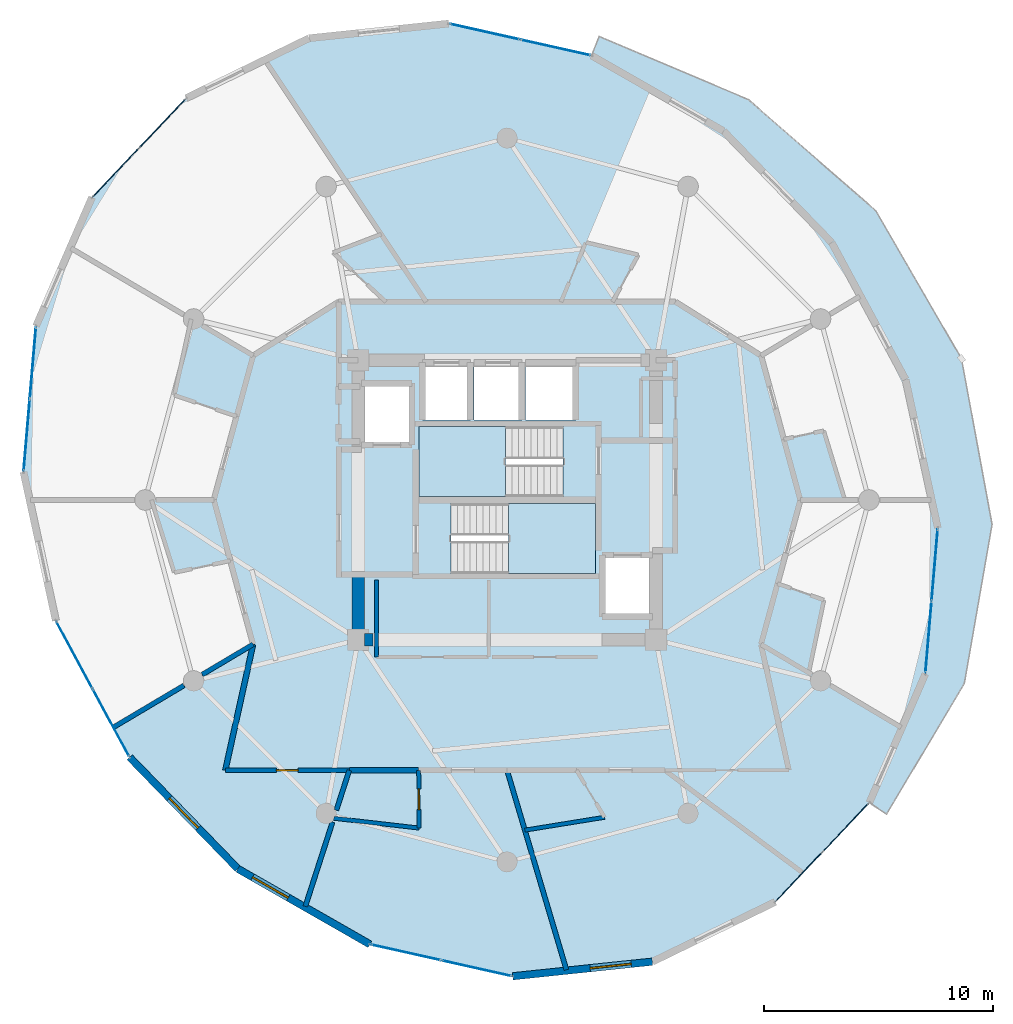
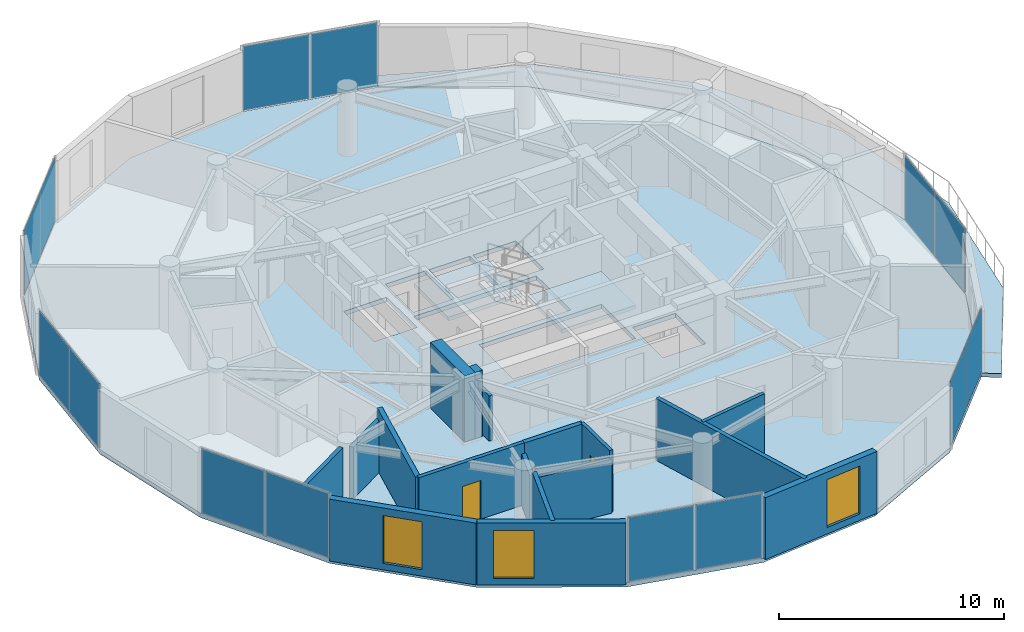
# One storey, part 17 of 23: 17 walls, 14 plates, 4 slabs, 3 windows, 2 doors, 5 openings, 9 elements without a shape of their own.
"""IFC4 building model written with IfcOpenShell, lengths in metres."""

from ifc_helpers import new_model, si_unit, direction, frame, frame_2d, origin, origin_2d, place, context, subcontext, project, spatial, polyline, rectangle, outline, extrude, source, transform, mapped, material, layer, layer_set, type_object, element, fill, aggregate, save


model = new_model("IFC4")

# Units and contexts
model_context = context("Model", 3, precision=1e-05, world=origin(), true_north=direction((0.0, 1.0)))
body_context = subcontext(model_context, "Body", "Model", "MODEL_VIEW")
ifc_project = project(units=[si_unit("LENGTHUNIT", "METRE"), si_unit("AREAUNIT", "SQUARE_METRE"), si_unit("VOLUMEUNIT", "CUBIC_METRE"), si_unit("PLANEANGLEUNIT", "RADIAN"), si_unit("MASSUNIT", "GRAM", prefix="KILO")], contexts=[model_context])

# Site, building, storey
site_placement = place(None, origin())
site = spatial("IfcSite", under=ifc_project, at=site_placement, CompositionType="ELEMENT")
building_placement = place(site_placement, origin())
building = spatial("IfcBuilding", under=site, at=building_placement, Name="Solvirekh Grand Hotel", CompositionType="ELEMENT")
storey_placement = place(building_placement, frame((0.0, 0.0, 173.199951171875)))
storey = spatial("IfcBuildingStorey", under=building, at=storey_placement, Name="L44", CompositionType="ELEMENT", Elevation=173.199951171875)

# Slab
ifc_material_1 = material(Name="Concrete C50/60", Category="concrete")
ifc_layer_1 = layer(ifc_material_1, 0.215087890625)
ifc_layer_set_1 = layer_set([ifc_layer_1], Name="Concrete C50/60")
slab_type_1 = type_object("IfcSlabType", Name="ExtCrescentBalc_215", PredefinedType="FLOOR", material=ifc_layer_set_1)
slab_1_placement = place(storey_placement, frame((0.0, 0.0, -0.21484375)))
element("IfcSlab", 1, at=slab_1_placement, inside=storey, type_object=slab_type_1, Name="L44 sweeping crescent balcony slab", PredefinedType="FLOOR", context=body_context, shape_type="SweptSolid", body=[
    extrude(outline(polyline([(16.56591796875, -13.7080078125), (19.9580078125, -8.013916015625), (21.172119140625, -1.06494140625), (19.8349609375, 6.16796875), (16.087890625, 12.635009765625), (10.52587890625, 17.48388671875), (4.01806640625, 20.236083984375), (3.68994140625, 19.39794921875), (9.450927734375, 16.10302734375), (14.174072265625, 11.23193359375), (17.39794921875, 5.261962890625), (18.804931640625, -1.22412109375), (18.260009765625, -7.590087890625), (15.81396484375, -13.212890625), (16.56591796875, -13.7080078125)])), origin(), (0.0, 0.0, 1.0), 0.21484375),
])

# Stair, slab
ifc_material_2 = material(Name="Concrete C40/50", Category="concrete")
stair_type = type_object("IfcStairType", Name="Stair_Core_1450", PredefinedType="HALF_TURN_STAIR", material=ifc_material_2)
stair_1_placement = place(storey_placement, origin())
stair_1 = element("IfcStair", 2, at=stair_1_placement, inside=storey, type_object=stair_type, Name="L44 Enclosed exit stair ST-1", PredefinedType="HALF_TURN_STAIR")
ifc_layer_2 = layer(ifc_material_2, 0.199951171875)
ifc_layer_set_2 = layer_set([ifc_layer_2], Name="Concrete C40/50")
slab_type_2 = type_object("IfcSlabType", Name="Landing_Stair_200", PredefinedType="LANDING", material=ifc_layer_set_2)
slab_2_placement = place(storey_placement, frame((0.0, 0.0, 1.60009765625)))
slab_2 = element("IfcSlab", 3, at=slab_2_placement, type_object=slab_type_2, Name="ST-1 landing 1", PredefinedType="LANDING", context=body_context, shape_type="SweptSolid", body=[
    extrude(outline(polyline([(0.070068359375, -3.199951171875), (3.85009765625, -3.199951171875), (3.85009765625, -0.14990234375), (0.070068359375, -0.14990234375), (0.070068359375, -3.199951171875)])), origin(), (0.0, 0.0, 1.0), 0.199951171875),
])
aggregate(stair_1, [slab_2])

stair_2_placement = place(storey_placement, origin())
stair_2 = element("IfcStair", 4, at=stair_2_placement, inside=storey, type_object=stair_type, Name="L44 Enclosed exit stair ST-2", PredefinedType="HALF_TURN_STAIR")
slab_3_placement = place(storey_placement, frame((0.0, 0.0, 1.60009765625)))
slab_3 = element("IfcSlab", 5, at=slab_3_placement, type_object=slab_type_2, Name="ST-2 landing 1", PredefinedType="LANDING", context=body_context, shape_type="SweptSolid", body=[
    extrude(outline(polyline([(-0.070068359375, 3.199951171875), (-3.85009765625, 3.199951171875), (-3.85009765625, 0.14990234375), (-0.070068359375, 0.14990234375), (-0.070068359375, 3.199951171875)])), origin(), (0.0, 0.0, 1.0), 0.199951171875),
])
aggregate(stair_2, [slab_3])

# Slab
ifc_layer_3 = layer(ifc_material_2, 0.239990234375)
ifc_layer_set_3 = layer_set([ifc_layer_3], Name="Concrete C40/50")
slab_type_3 = type_object("IfcSlabType", Name="Slab_GuestZ3_240", PredefinedType="FLOOR", material=ifc_layer_set_3)
slab_4_placement = place(storey_placement, frame((0.0, 0.0, -0.239990234375)))
element("IfcSlab", 6, at=slab_4_placement, inside=storey, type_object=slab_type_3, Name="L44 structural floor slab", PredefinedType="FLOOR", context=body_context, shape_type="SweptSolid", body=[
    extrude(outline(polyline([(11.7080078125, -17.5419921875), (15.81396484375, -13.212890625), (18.260009765625, -7.590087890625), (18.804931640625, -1.22412109375), (17.39794921875, 5.261962890625), (14.174072265625, 11.23193359375), (9.450927734375, 16.10302734375), (3.68994140625, 19.39794921875), (-2.544921875, 20.7939453125), (-8.64306640625, 20.155029296875), (-14.008056640625, 17.5419921875), (-18.114013671875, 13.212890625), (-20.56005859375, 7.590087890625), (-21.10498046875, 1.22412109375), (-19.697998046875, -5.261962890625), (-16.47412109375, -11.23193359375), (-11.7509765625, -16.10302734375), (-5.989990234375, -19.39794921875), (0.2451171875, -20.7939453125), (6.343017578125, -20.155029296875), (11.7080078125, -17.5419921875)]), holes=[polyline([(-2.444091796875, -0.14990234375), (3.85009765625, -0.14990234375), (3.85009765625, -3.199951171875), (-2.444091796875, -3.199951171875), (-2.444091796875, -0.14990234375)]), polyline([(2.444091796875, 0.14990234375), (-3.85009765625, 0.14990234375), (-3.85009765625, 3.199951171875), (2.444091796875, 3.199951171875), (2.444091796875, 0.14990234375)]), polyline([(-3.699951171875, 6.0), (-1.60009765625, 6.0), (-1.60009765625, 3.5), (-3.699951171875, 3.5), (-3.699951171875, 6.0)]), polyline([(-1.449951171875, 6.0), (0.64990234375, 6.0), (0.64990234375, 3.5), (-1.449951171875, 3.5), (-1.449951171875, 6.0)]), polyline([(0.800048828125, 6.0), (3.0, 6.0), (3.0, 3.5), (0.800048828125, 3.5), (0.800048828125, 6.0)]), polyline([(-6.35009765625, 5.10009765625), (-4.14990234375, 5.10009765625), (-4.14990234375, 2.39990234375), (-6.35009765625, 2.39990234375), (-6.35009765625, 5.10009765625)]), polyline([(4.14990234375, -2.39990234375), (6.35009765625, -2.39990234375), (6.35009765625, -5.10009765625), (4.14990234375, -5.10009765625), (4.14990234375, -2.39990234375)])]), origin(), (0.0, 0.0, 1.0), 0.239990234375),
])

# Curtain wall, plates
ifc_material_3 = material(Name="Anodized Bronze Aluminium 6063-T6", Category="aluminium")
ifc_layer_4 = layer(ifc_material_3, 0.159912109375)
ifc_layer_set_4 = layer_set([ifc_layer_4], Name="Anodized Bronze Aluminium 6063-T6")
curtain_wall_type = type_object("IfcCurtainWallType", Name="CW_Sys4_HighZoneFlushBronzeCW", PredefinedType="NOTDEFINED", material=ifc_layer_set_4)
curtain_wall_1_placement = place(storey_placement, origin())
curtain_wall_1 = element("IfcCurtainWall", 7, at=curtain_wall_1_placement, inside=storey, type_object=curtain_wall_type, Name="L44 unitised bronze-glass curtain wall CW-L44-C01", PredefinedType="NOTDEFINED")
ifc_material_4 = material(Name="Low-E Tinted Bronze Laminated Glass", Category="aluminium")
ifc_layer_5 = layer(ifc_material_4, 0.033935546875)
ifc_layer_set_5 = layer_set([ifc_layer_5], Name="Low-E Tinted Bronze Laminated Glass")
plate_type = type_object("IfcPlateType", Name="CWPanel_High_34", PredefinedType="CURTAIN_PANEL", material=ifc_layer_set_5)
shared_shape_1 = source(origin(), body_context, "Body", "SweptSolid", [
    extrude(rectangle(XDim=2.893310546875, YDim=0.033935546875, at=origin_2d()), origin(), (0.0, 0.0, 1.0), 3.489990234375),
])
plate_1_placement = place(storey_placement, frame((12.744873046875, -16.448974609375, 0.05517578125), z_axis=(0.0, 0.0, 1.0), x_axis=(0.688172218506, 0.725547377968, 0.0)))
plate_1 = element("IfcPlate", 8, at=plate_1_placement, type_object=plate_type, Name="U04 panel 1.1", PredefinedType="CURTAIN_PANEL", context=body_context, shape_type="MappedRepresentation", body=[
    mapped(shared_shape_1, transform((0.0, 0.0, 0.0), x_axis=(1.0, 0.0, 0.0), y_axis=(0.0, 1.0, 0.0), z_axis=(0.0, 0.0, 1.0), scale=1.0)),
])
plate_2_placement = place(storey_placement, frame((14.777099609375, -14.30615234375, 0.05517578125), z_axis=(0.0, 0.0, 1.0), x_axis=(0.688172218506, 0.725547377968, 0.0)))
plate_2 = element("IfcPlate", 9, at=plate_2_placement, type_object=plate_type, Name="U04 panel 2.1", PredefinedType="CURTAIN_PANEL", context=body_context, shape_type="MappedRepresentation", body=[
    mapped(shared_shape_1, transform((0.0, 0.0, 0.0), x_axis=(1.0, 0.0, 0.0), y_axis=(0.0, 1.0, 0.0), z_axis=(0.0, 0.0, 1.0), scale=1.0)),
])
aggregate(curtain_wall_1, [plate_1, plate_2])

curtain_wall_2_placement = place(storey_placement, origin())
curtain_wall_2 = element("IfcCurtainWall", 10, at=curtain_wall_2_placement, inside=storey, type_object=curtain_wall_type, Name="L44 unitised bronze-glass curtain wall CW-L44-C11", PredefinedType="NOTDEFINED")
plate_3_placement = place(storey_placement, frame((-15.044921875, 16.448974609375, 0.05517578125), z_axis=(0.0, 0.0, 1.0), x_axis=(-0.688172218506, -0.725547377968, 0.0)))
plate_3 = element("IfcPlate", 11, at=plate_3_placement, type_object=plate_type, Name="U04 panel 1.1", PredefinedType="CURTAIN_PANEL", context=body_context, shape_type="MappedRepresentation", body=[
    mapped(shared_shape_1, transform((0.0, 0.0, 0.0), x_axis=(1.0, 0.0, 0.0), y_axis=(0.0, 1.0, 0.0), z_axis=(0.0, 0.0, 1.0), scale=1.0)),
])
plate_4_placement = place(storey_placement, frame((-17.0771484375, 14.30615234375, 0.05517578125), z_axis=(0.0, 0.0, 1.0), x_axis=(-0.688172218506, -0.725547377968, 0.0)))
plate_4 = element("IfcPlate", 12, at=plate_4_placement, type_object=plate_type, Name="U04 panel 2.1", PredefinedType="CURTAIN_PANEL", context=body_context, shape_type="MappedRepresentation", body=[
    mapped(shared_shape_1, transform((0.0, 0.0, 0.0), x_axis=(1.0, 0.0, 0.0), y_axis=(0.0, 1.0, 0.0), z_axis=(0.0, 0.0, 1.0), scale=1.0)),
])
aggregate(curtain_wall_2, [plate_3, plate_4])

curtain_wall_3_placement = place(storey_placement, origin())
curtain_wall_3 = element("IfcCurtainWall", 13, at=curtain_wall_3_placement, inside=storey, type_object=curtain_wall_type, Name="L44 unitised bronze-glass curtain wall CW-L44-C03", PredefinedType="NOTDEFINED")
shared_shape_2 = source(origin(), body_context, "Body", "SweptSolid", [
    extrude(rectangle(XDim=3.104736328125, YDim=0.033935546875, at=origin_2d()), origin(), (0.0, 0.0, 1.0), 3.489990234375),
])
plate_5_placement = place(storey_placement, frame((18.3974609375, -5.983642578125, 0.05517578125), z_axis=(0.0, 0.0, 1.0), x_axis=(0.085299040279, 0.996355395292, 0.0)))
plate_5 = element("IfcPlate", 14, at=plate_5_placement, type_object=plate_type, Name="U04 panel 1.1", PredefinedType="CURTAIN_PANEL", context=body_context, shape_type="MappedRepresentation", body=[
    mapped(shared_shape_2, transform((0.0, 0.0, 0.0), x_axis=(1.0, 0.0, 0.0), y_axis=(0.0, 1.0, 0.0), z_axis=(0.0, 0.0, 1.0), scale=1.0)),
])
plate_6_placement = place(storey_placement, frame((18.66748046875, -2.83056640625, 0.05517578125), z_axis=(0.0, 0.0, 1.0), x_axis=(0.085299040279, 0.996355395292, 0.0)))
plate_6 = element("IfcPlate", 15, at=plate_6_placement, type_object=plate_type, Name="U04 panel 2.1", PredefinedType="CURTAIN_PANEL", context=body_context, shape_type="MappedRepresentation", body=[
    mapped(shared_shape_2, transform((0.0, 0.0, 0.0), x_axis=(1.0, 0.0, 0.0), y_axis=(0.0, 1.0, 0.0), z_axis=(0.0, 0.0, 1.0), scale=1.0)),
])
aggregate(curtain_wall_3, [plate_5, plate_6])

curtain_wall_4_placement = place(storey_placement, origin())
curtain_wall_4 = element("IfcCurtainWall", 16, at=curtain_wall_4_placement, inside=storey, type_object=curtain_wall_type, Name="L44 unitised bronze-glass curtain wall CW-L44-C08", PredefinedType="NOTDEFINED")
plate_7_placement = place(storey_placement, frame((2.11669921875, 19.750244140625, 0.05517578125), z_axis=(0.0, 0.0, 1.0), x_axis=(-0.975839654092, 0.218487916144, 0.0)))
plate_7 = element("IfcPlate", 17, at=plate_7_placement, type_object=plate_type, Name="U04 panel 1.1", PredefinedType="CURTAIN_PANEL", context=body_context, shape_type="MappedRepresentation", body=[
    mapped(shared_shape_2, transform((0.0, 0.0, 0.0), x_axis=(1.0, 0.0, 0.0), y_axis=(0.0, 1.0, 0.0), z_axis=(0.0, 0.0, 1.0), scale=1.0)),
])
plate_8_placement = place(storey_placement, frame((-0.9716796875, 20.441650390625, 0.05517578125), z_axis=(0.0, 0.0, 1.0), x_axis=(-0.975839654092, 0.218487916144, 0.0)))
plate_8 = element("IfcPlate", 18, at=plate_8_placement, type_object=plate_type, Name="U04 panel 2.1", PredefinedType="CURTAIN_PANEL", context=body_context, shape_type="MappedRepresentation", body=[
    mapped(shared_shape_2, transform((0.0, 0.0, 0.0), x_axis=(1.0, 0.0, 0.0), y_axis=(0.0, 1.0, 0.0), z_axis=(0.0, 0.0, 1.0), scale=1.0)),
])
aggregate(curtain_wall_4, [plate_7, plate_8])

curtain_wall_5_placement = place(storey_placement, origin())
curtain_wall_5 = element("IfcCurtainWall", 19, at=curtain_wall_5_placement, inside=storey, type_object=curtain_wall_type, Name="L44 unitised bronze-glass curtain wall CW-L44-C13", PredefinedType="NOTDEFINED")
plate_9_placement = place(storey_placement, frame((-20.697509765625, 5.983642578125, 0.05517578125), z_axis=(0.0, 0.0, 1.0), x_axis=(-0.085299040279, -0.996355395292, 0.0)))
plate_9 = element("IfcPlate", 20, at=plate_9_placement, type_object=plate_type, Name="U04 panel 1.1", PredefinedType="CURTAIN_PANEL", context=body_context, shape_type="MappedRepresentation", body=[
    mapped(shared_shape_2, transform((0.0, 0.0, 0.0), x_axis=(1.0, 0.0, 0.0), y_axis=(0.0, 1.0, 0.0), z_axis=(0.0, 0.0, 1.0), scale=1.0)),
])
plate_10_placement = place(storey_placement, frame((-20.967529296875, 2.83056640625, 0.05517578125), z_axis=(0.0, 0.0, 1.0), x_axis=(-0.085299040279, -0.996355395292, 0.0)))
plate_10 = element("IfcPlate", 21, at=plate_10_placement, type_object=plate_type, Name="U04 panel 2.1", PredefinedType="CURTAIN_PANEL", context=body_context, shape_type="MappedRepresentation", body=[
    mapped(shared_shape_2, transform((0.0, 0.0, 0.0), x_axis=(1.0, 0.0, 0.0), y_axis=(0.0, 1.0, 0.0), z_axis=(0.0, 0.0, 1.0), scale=1.0)),
])
aggregate(curtain_wall_5, [plate_9, plate_10])

curtain_wall_6_placement = place(storey_placement, origin())
curtain_wall_6 = element("IfcCurtainWall", 22, at=curtain_wall_6_placement, inside=storey, type_object=curtain_wall_type, Name="L44 unitised bronze-glass curtain wall CW-L44-C18", PredefinedType="NOTDEFINED")
plate_11_placement = place(storey_placement, frame((-4.41650390625, -19.750244140625, 0.05517578125), z_axis=(0.0, 0.0, 1.0), x_axis=(0.975839654092, -0.218487916144, 0.0)))
plate_11 = element("IfcPlate", 23, at=plate_11_placement, type_object=plate_type, Name="U04 panel 1.1", PredefinedType="CURTAIN_PANEL", context=body_context, shape_type="MappedRepresentation", body=[
    mapped(shared_shape_2, transform((0.0, 0.0, 0.0), x_axis=(1.0, 0.0, 0.0), y_axis=(0.0, 1.0, 0.0), z_axis=(0.0, 0.0, 1.0), scale=1.0)),
])
plate_12_placement = place(storey_placement, frame((-1.328369140625, -20.441650390625, 0.05517578125), z_axis=(0.0, 0.0, 1.0), x_axis=(0.975839654092, -0.218487916144, 0.0)))
plate_12 = element("IfcPlate", 24, at=plate_12_placement, type_object=plate_type, Name="U04 panel 2.1", PredefinedType="CURTAIN_PANEL", context=body_context, shape_type="MappedRepresentation", body=[
    mapped(shared_shape_2, transform((0.0, 0.0, 0.0), x_axis=(1.0, 0.0, 0.0), y_axis=(0.0, 1.0, 0.0), z_axis=(0.0, 0.0, 1.0), scale=1.0)),
])
aggregate(curtain_wall_6, [plate_11, plate_12])

curtain_wall_7_placement = place(storey_placement, origin())
curtain_wall_7 = element("IfcCurtainWall", 25, at=curtain_wall_7_placement, inside=storey, type_object=curtain_wall_type, Name="L44 unitised bronze-glass curtain wall CW-L44-C15", PredefinedType="NOTDEFINED")
shared_shape_3 = source(origin(), body_context, "Body", "SweptSolid", [
    extrude(rectangle(XDim=3.302490234375, YDim=0.033935546875, at=origin_2d()), origin(), (0.0, 0.0, 1.0), 3.489990234375),
])
plate_13_placement = place(storey_placement, frame((-18.884765625, -6.767578125, 0.05517578125), z_axis=(0.0, 0.0, 1.0), x_axis=(0.475171736775, -0.879893073373, 0.0)))
plate_13 = element("IfcPlate", 26, at=plate_13_placement, type_object=plate_type, Name="U04 panel 1.1", PredefinedType="CURTAIN_PANEL", context=body_context, shape_type="MappedRepresentation", body=[
    mapped(shared_shape_3, transform((0.0, 0.0, 0.0), x_axis=(1.0, 0.0, 0.0), y_axis=(0.0, 1.0, 0.0), z_axis=(0.0, 0.0, 1.0), scale=1.0)),
])
plate_14_placement = place(storey_placement, frame((-17.287109375, -9.726318359375, 0.05517578125), z_axis=(0.0, 0.0, 1.0), x_axis=(0.475171736775, -0.879893073373, 0.0)))
plate_14 = element("IfcPlate", 27, at=plate_14_placement, type_object=plate_type, Name="U04 panel 2.1", PredefinedType="CURTAIN_PANEL", context=body_context, shape_type="MappedRepresentation", body=[
    mapped(shared_shape_3, transform((0.0, 0.0, 0.0), x_axis=(1.0, 0.0, 0.0), y_axis=(0.0, 1.0, 0.0), z_axis=(0.0, 0.0, 1.0), scale=1.0)),
])
aggregate(curtain_wall_7, [plate_13, plate_14])

# Walls
ifc_layer_6 = layer(ifc_material_1, 0.550048828125)
ifc_layer_set_6 = layer_set([ifc_layer_6], Name="Concrete C50/60")
wall_type_1 = type_object("IfcWallType", Name="CoreWall_RC550", PredefinedType="SHEAR", material=ifc_layer_set_6)
wall_1_placement = place(storey_placement, frame((-6.22509765625, -6.10009765625, 0.0), z_axis=(0.0, 0.0, 1.0), x_axis=(1.0, 0.0, 0.0)))
element("IfcWall", 28, at=wall_1_placement, inside=storey, type_object=wall_type_1, Name="L44 core corner shear wall SW-S", PredefinedType="SHEAR", context=body_context, shape_type="SweptSolid", body=[
    extrude(rectangle(XDim=0.375, YDim=0.550048828125, at=frame_2d((0.1875, 0.0))), origin(), (0.0, 0.0, 1.0), 3.60009765625),
])
wall_2_placement = place(storey_placement, frame((-6.5, -6.375, 0.0), z_axis=(0.0, 0.0, 1.0), x_axis=(0.0, 1.0, 0.0)))
element("IfcWall", 29, at=wall_2_placement, inside=storey, type_object=wall_type_1, Name="L44 core corner shear wall WS-W", PredefinedType="SHEAR", context=body_context, shape_type="SweptSolid", body=[
    extrude(rectangle(XDim=3.02490234375, YDim=0.550048828125, at=frame_2d((1.512451171875, 0.0))), origin(), (0.0, 0.0, 1.0), 3.60009765625),
])

# Wall, opening, window
ifc_material_5 = material(Name="Precast concrete C45/55", Category="concrete")
ifc_layer_7 = layer(ifc_material_5, 0.320068359375)
ifc_layer_set_7 = layer_set([ifc_layer_7], Name="Precast concrete C45/55")
wall_type_2 = type_object("IfcWallType", Name="ExtLobbyWall_RC320", PredefinedType="SOLIDWALL", material=ifc_layer_set_7)
wall_3_placement = place(storey_placement, frame((-11.7509765625, -16.10302734375, 0.0), z_axis=(0.0, 0.0, 1.0), x_axis=(-0.696119985346, 0.71792545992, 0.0)))
wall_3 = element("IfcWall", 30, at=wall_3_placement, inside=storey, type_object=wall_type_2, Name="L44 exterior structural wall chord 16", PredefinedType="SOLIDWALL", context=body_context, shape_type="SweptSolid", body=[
    extrude(rectangle(XDim=6.784912109375, YDim=0.320068359375, at=frame_2d((3.392578125, 0.0))), origin(), (0.0, 0.0, 1.0), 3.360107421875),
])
opening_1_placement = place(wall_3_placement, frame((2.491943359375, 0.0, 0.35009765625)))
opening_1 = element("IfcOpeningElement", 31, at=opening_1_placement, cuts=wall_3, Name="Opening W02", PredefinedType="OPENING", context=body_context, shape_type="SweptSolid", body=[
    extrude(rectangle(XDim=1.800048828125, YDim=2.60009765625, at=frame_2d((0.89990234375, 1.300048828125))), frame((0.0, 0.169921875, 0.0), z_axis=(0.0, -1.0, 0.0), x_axis=(1.0, 0.0, 0.0)), (0.0, 0.0, 1.0), 0.340087890625),
])
window_type = type_object("IfcWindowType", Name="Win_LobbyExt_1800X2600", PartitioningType="SINGLE_PANEL", PredefinedType="WINDOW", material=ifc_material_4)
window_1_placement = place(opening_1_placement, origin())
window_1 = element("IfcWindow", 32, at=window_1_placement, inside=storey, type_object=window_type, Name="L44 panoramic bronze-framed window 16", OverallHeight=2.60009765625, OverallWidth=1.800048828125, PartitioningType="SINGLE_PANEL", PredefinedType="WINDOW", context=body_context, shape_type="SweptSolid", body=[
    extrude(rectangle(XDim=1.800048828125, YDim=2.60009765625, at=frame_2d((0.89990234375, 1.300048828125))), frame((0.0, 0.030029296875, 0.0), z_axis=(0.0, -1.0, 0.0), x_axis=(1.0, 0.0, 0.0)), (0.0, 0.0, 1.0), 0.06005859375),
])
fill(opening_1, window_1)

wall_4_placement = place(storey_placement, frame((-5.989990234375, -19.39794921875, 0.0), z_axis=(0.0, 0.0, 1.0), x_axis=(-0.868052920032, 0.496471678974, 0.0)))
wall_4 = element("IfcWall", 33, at=wall_4_placement, inside=storey, type_object=wall_type_2, Name="L44 exterior structural wall chord 17", PredefinedType="SOLIDWALL", context=body_context, shape_type="SweptSolid", body=[
    extrude(rectangle(XDim=6.63671875, YDim=0.320068359375, at=frame_2d((3.318359375, 0.0))), origin(), (0.0, 0.0, 1.0), 3.360107421875),
])
opening_2_placement = place(wall_4_placement, frame((4.10205078125, 0.0, 0.35009765625)))
opening_2 = element("IfcOpeningElement", 34, at=opening_2_placement, cuts=wall_4, Name="Opening W02", PredefinedType="OPENING", context=body_context, shape_type="SweptSolid", body=[
    extrude(rectangle(XDim=1.800048828125, YDim=2.60009765625, at=frame_2d((0.89990234375, 1.300048828125))), frame((0.0, 0.169921875, 0.0), z_axis=(0.0, -1.0, 0.0), x_axis=(1.0, 0.0, 0.0)), (0.0, 0.0, 1.0), 0.340087890625),
])
window_2_placement = place(opening_2_placement, origin())
window_2 = element("IfcWindow", 35, at=window_2_placement, inside=storey, type_object=window_type, Name="L44 panoramic bronze-framed window 17", OverallHeight=2.60009765625, OverallWidth=1.800048828125, PartitioningType="SINGLE_PANEL", PredefinedType="WINDOW", context=body_context, shape_type="SweptSolid", body=[
    extrude(rectangle(XDim=1.800048828125, YDim=2.60009765625, at=frame_2d((0.89990234375, 1.300048828125))), frame((0.0, 0.030029296875, 0.0), z_axis=(0.0, -1.0, 0.0), x_axis=(1.0, 0.0, 0.0)), (0.0, 0.0, 1.0), 0.06005859375),
])
fill(opening_2, window_2)

wall_5_placement = place(storey_placement, frame((6.343017578125, -20.155029296875, 0.0), z_axis=(0.0, 0.0, 1.0), x_axis=(-0.994555738522, -0.104205964195, 0.0)))
wall_5 = element("IfcWall", 36, at=wall_5_placement, inside=storey, type_object=wall_type_2, Name="L44 exterior structural wall chord 19", PredefinedType="SOLIDWALL", context=body_context, shape_type="SweptSolid", body=[
    extrude(rectangle(XDim=6.13134765625, YDim=0.320068359375, at=frame_2d((3.065673828125, 0.0))), origin(), (0.0, 0.0, 1.0), 3.360107421875),
])
opening_3_placement = place(wall_5_placement, frame((0.93408203125, 0.0, 0.35009765625)))
opening_3 = element("IfcOpeningElement", 37, at=opening_3_placement, cuts=wall_5, Name="Opening W02", PredefinedType="OPENING", context=body_context, shape_type="SweptSolid", body=[
    extrude(rectangle(XDim=1.800048828125, YDim=2.60009765625, at=frame_2d((0.89990234375, 1.300048828125))), frame((0.0, 0.169921875, 0.0), z_axis=(0.0, -1.0, 0.0), x_axis=(1.0, 0.0, 0.0)), (0.0, 0.0, 1.0), 0.340087890625),
])
window_3_placement = place(opening_3_placement, origin())
window_3 = element("IfcWindow", 38, at=window_3_placement, inside=storey, type_object=window_type, Name="L44 panoramic bronze-framed window 19", OverallHeight=2.60009765625, OverallWidth=1.800048828125, PartitioningType="SINGLE_PANEL", PredefinedType="WINDOW", context=body_context, shape_type="SweptSolid", body=[
    extrude(rectangle(XDim=1.800048828125, YDim=2.60009765625, at=frame_2d((0.89990234375, 1.300048828125))), frame((0.0, 0.030029296875, 0.0), z_axis=(0.0, -1.0, 0.0), x_axis=(1.0, 0.0, 0.0)), (0.0, 0.0, 1.0), 0.06005859375),
])
fill(opening_3, window_3)

# Walls
ifc_material_6 = material(Name="Acoustic Gypsum Partition Assembly")
ifc_layer_8 = layer(ifc_material_6, 0.1650390625)
ifc_layer_set_8 = layer_set([ifc_layer_8], Name="Acoustic Gypsum Partition Assembly")
wall_type_3 = type_object("IfcWallType", Name="Part_BOH_165", PredefinedType="PARTITIONING", material=ifc_layer_set_8)
wall_6_placement = place(storey_placement, frame((-5.699951171875, -3.5, 0.0), z_axis=(0.0, 0.0, 1.0), x_axis=(0.0, -1.0, 0.0)))
element("IfcWall", 39, at=wall_6_placement, inside=storey, type_object=wall_type_3, Name="L44 High-Zone Housekeeping Linen Room wall 4", PredefinedType="PARTITIONING", context=body_context, shape_type="SweptSolid", body=[
    extrude(rectangle(XDim=3.35009765625, YDim=0.1650390625, at=frame_2d((1.675048828125, 0.0))), origin(), (0.0, 0.0, 1.0), 2.445068359375),
])
ifc_layer_9 = layer(ifc_material_6, 0.239990234375)
ifc_layer_set_9 = layer_set([ifc_layer_9], Name="Acoustic Gypsum Partition Assembly")
wall_type_4 = type_object("IfcWallType", Name="Part_Corridor_240", PredefinedType="PARTITIONING", material=ifc_layer_set_9)
wall_7_placement = place(storey_placement, frame((-11.0849609375, -6.300048828125, 0.0), z_axis=(0.0, 0.0, 1.0), x_axis=(-0.21572328796, -0.976454537104, 0.0)))
element("IfcWall", 40, at=wall_7_placement, inside=storey, type_object=wall_type_4, Name="L44 L44 Private Relaxation Lounge corridor wall 1", PredefinedType="PARTITIONING", context=body_context, shape_type="SweptSolid", body=[
    extrude(rectangle(XDim=5.632568359375, YDim=0.239990234375, at=frame_2d((2.81640625, 0.0))), origin(), (0.0, 0.0, 1.0), 3.360107421875),
])
wall_8_placement = place(storey_placement, frame((-6.887939453125, -11.800048828125, 0.0), z_axis=(0.0, 0.0, 1.0), x_axis=(1.0, 0.0, 0.0)))
element("IfcWall", 41, at=wall_8_placement, inside=storey, type_object=wall_type_4, Name="L44 En-suite Bathroom 4607 corridor backing wall", PredefinedType="PARTITIONING", context=body_context, shape_type="SweptSolid", body=[
    extrude(rectangle(XDim=3.031005859375, YDim=0.239990234375, at=frame_2d((1.515625, 0.0))), origin(), (0.0, 0.0, 1.0), 3.360107421875),
])

# Wall, opening, door
ifc_layer_10 = layer(ifc_material_6, 0.18994140625)
ifc_layer_set_10 = layer_set([ifc_layer_10], Name="Acoustic Gypsum Partition Assembly")
wall_type_5 = type_object("IfcWallType", Name="Part_GuestDemise_190", PredefinedType="PARTITIONING", material=ifc_layer_set_10)
wall_9_placement = place(storey_placement, frame((-12.300048828125, -11.800048828125, 0.0), z_axis=(0.0, 0.0, 1.0), x_axis=(1.0, 0.0, 0.0)))
wall_9 = element("IfcWall", 42, at=wall_9_placement, inside=storey, type_object=wall_type_5, Name="L44 L44 Private Relaxation Lounge entrance wall", PredefinedType="PARTITIONING", context=body_context, shape_type="SweptSolid", body=[
    extrude(rectangle(XDim=5.412109375, YDim=0.18994140625, at=frame_2d((2.7060546875, 0.0))), origin(), (0.0, 0.0, 1.0), 3.360107421875),
])
opening_4_placement = place(wall_9_placement, frame((2.23095703125, 0.0, 0.0)))
opening_4 = element("IfcOpeningElement", 43, at=opening_4_placement, cuts=wall_9, Name="Opening D10", PredefinedType="OPENING", context=body_context, shape_type="SweptSolid", body=[
    extrude(rectangle(XDim=0.949951171875, YDim=2.10009765625, at=frame_2d((0.47509765625, 1.050048828125))), frame((0.0, 0.10498046875, 0.0), z_axis=(0.0, -1.0, 0.0), x_axis=(1.0, 0.0, 0.0)), (0.0, 0.0, 1.0), 0.2099609375),
])
door_type_1 = type_object("IfcDoorType", Name="Door_RoomInt_950X2100", OperationType="NOTDEFINED", PredefinedType="DOOR", material=ifc_material_3)
door_1_placement = place(opening_4_placement, origin())
door_1 = element("IfcDoor", 44, at=door_1_placement, inside=storey, type_object=door_type_1, Name="L44 L44 Private Relaxation Lounge entrance door", OperationType="SINGLE_SWING_RIGHT", OverallHeight=2.10009765625, OverallWidth=0.949951171875, PredefinedType="DOOR", context=body_context, shape_type="SweptSolid", body=[
    extrude(rectangle(XDim=0.949951171875, YDim=2.10009765625, at=frame_2d((0.47509765625, 1.050048828125))), frame((0.0, 0.02490234375, 0.0), z_axis=(0.0, -1.0, 0.0), x_axis=(1.0, 0.0, 0.0)), (0.0, 0.0, 1.0), 0.050048828125),
])
fill(opening_4, door_1)

# Walls
ifc_layer_11 = layer(ifc_material_6, 0.2099609375)
ifc_layer_set_11 = layer_set([ifc_layer_11], Name="Acoustic Gypsum Partition Assembly")
wall_type_6 = type_object("IfcWallType", Name="Part_SuiteDemise_210", PredefinedType="PARTITIONING", material=ifc_layer_set_11)
wall_10_placement = place(storey_placement, frame((-11.0849609375, -6.300048828125, 0.0), z_axis=(0.0, 0.0, 1.0), x_axis=(-0.859827513331, -0.510584613281, 0.0)))
element("IfcWall", 45, at=wall_10_placement, inside=storey, type_object=wall_type_6, Name="L44 suite radial wall 8 (A)", PredefinedType="PARTITIONING", context=body_context, shape_type="SweptSolid", body=[
    extrude(rectangle(XDim=2.5830078125, YDim=0.2099609375, at=frame_2d((1.29150390625, 0.0))), origin(), (0.0, 0.0, 1.0), 2.801025390625),
])
wall_11_placement = place(storey_placement, frame((-14.110107421875, -8.095947265625, 0.0), z_axis=(0.0, 0.0, 1.0), x_axis=(-0.859825355727, -0.510588246682, 0.0)))
element("IfcWall", 46, at=wall_11_placement, inside=storey, type_object=wall_type_6, Name="L44 suite radial wall 8 (B)", PredefinedType="PARTITIONING", context=body_context, shape_type="SweptSolid", body=[
    extrude(rectangle(XDim=3.533203125, YDim=0.2099609375, at=frame_2d((1.7666015625, 0.0))), origin(), (0.0, 0.0, 1.0), 3.360107421875),
])
wall_12_placement = place(storey_placement, frame((-6.887939453125, -11.800048828125, 0.0), z_axis=(0.0, 0.0, 1.0), x_axis=(-0.307220756357, -0.95163827522, 0.0)))
element("IfcWall", 47, at=wall_12_placement, inside=storey, type_object=wall_type_6, Name="L44 L44 Private Relaxation Lounge dividing partition 1 (A)", PredefinedType="PARTITIONING", context=body_context, shape_type="SweptSolid", body=[
    extrude(rectangle(XDim=1.83251953125, YDim=0.2099609375, at=frame_2d((0.916259765625, 0.0))), origin(), (0.0, 0.0, 1.0), 2.801025390625),
])
wall_13_placement = place(storey_placement, frame((-7.617919921875, -14.05908203125, 0.0), z_axis=(0.0, 0.0, 1.0), x_axis=(-0.307297747986, -0.9516134163, 0.0)))
element("IfcWall", 48, at=wall_13_placement, inside=storey, type_object=wall_type_6, Name="L44 L44 Private Relaxation Lounge dividing partition 1 (B)", PredefinedType="PARTITIONING", context=body_context, shape_type="SweptSolid", body=[
    extrude(rectangle(XDim=3.869140625, YDim=0.2099609375, at=frame_2d((1.9345703125, 0.0))), origin(), (0.0, 0.0, 1.0), 3.360107421875),
])
wall_14_placement = place(storey_placement, frame((0.0, -11.800048828125, 0.0), z_axis=(0.0, 0.0, 1.0), x_axis=(0.285192468368, -0.958470268702, 0.0)))
element("IfcWall", 49, at=wall_14_placement, inside=storey, type_object=wall_type_6, Name="L44 Deluxe Guestroom 4607 dividing partition 1", PredefinedType="PARTITIONING", context=body_context, shape_type="SweptSolid", body=[
    extrude(rectangle(XDim=9.085205078125, YDim=0.2099609375, at=frame_2d((4.54248046875, 0.0))), origin(), (0.0, 0.0, 1.0), 3.360107421875),
])
ifc_layer_12 = layer(ifc_material_6, 0.175048828125)
ifc_layer_set_12 = layer_set([ifc_layer_12], Name="Acoustic Gypsum Partition Assembly")
wall_type_7 = type_object("IfcWallType", Name="Plumb_Ensuite_175", PredefinedType="PLUMBINGWALL", material=ifc_layer_set_12)
wall_15_placement = place(storey_placement, frame((-7.56396484375, -13.89306640625, 0.0), z_axis=(0.0, 0.0, 1.0), x_axis=(0.993452151759, -0.114248948203, 0.0)))
element("IfcWall", 50, at=wall_15_placement, inside=storey, type_object=wall_type_7, Name="L44 En-suite Bathroom 4607 outer plumbing wall", PredefinedType="PLUMBINGWALL", context=body_context, shape_type="SweptSolid", body=[
    extrude(rectangle(XDim=3.754638671875, YDim=0.175048828125, at=frame_2d((1.87744140625, 0.0))), origin(), (0.0, 0.0, 1.0), 2.928955078125),
])

# Wall, opening, door
wall_16_placement = place(storey_placement, frame((-3.85693359375, -11.800048828125, 0.0), z_axis=(0.0, 0.0, 1.0), x_axis=(0.009099332858, -0.999958600214, 0.0)))
wall_16 = element("IfcWall", 51, at=wall_16_placement, inside=storey, type_object=wall_type_7, Name="L44 En-suite Bathroom 4607 entry plumbing wall", PredefinedType="PLUMBINGWALL", context=body_context, shape_type="SweptSolid", body=[
    extrude(rectangle(XDim=2.52197265625, YDim=0.175048828125, at=frame_2d((1.260986328125, 0.0))), origin(), (0.0, 0.0, 1.0), 3.360107421875),
])
opening_5_placement = place(wall_16_placement, frame((0.81103515625, 0.0, 0.0)))
opening_5 = element("IfcOpeningElement", 52, at=opening_5_placement, cuts=wall_16, Name="Opening D09", PredefinedType="OPENING", context=body_context, shape_type="SweptSolid", body=[
    extrude(rectangle(XDim=0.89990234375, YDim=2.10009765625, at=frame_2d((0.449951171875, 1.050048828125))), frame((0.0, 0.09765625, 0.0), z_axis=(0.0, -1.0, 0.0), x_axis=(1.0, 0.0, 0.0)), (0.0, 0.0, 1.0), 0.195068359375),
])
door_type_2 = type_object("IfcDoorType", Name="Door_Ensuite_900X2100", OperationType="NOTDEFINED", PredefinedType="DOOR", material=ifc_material_3)
door_2_placement = place(opening_5_placement, origin())
door_2 = element("IfcDoor", 53, at=door_2_placement, inside=storey, type_object=door_type_2, Name="L44 En-suite Bathroom 4607 door", OperationType="SINGLE_SWING_LEFT", OverallHeight=2.10009765625, OverallWidth=0.89990234375, PredefinedType="DOOR", context=body_context, shape_type="SweptSolid", body=[
    extrude(rectangle(XDim=0.89990234375, YDim=2.10009765625, at=frame_2d((0.449951171875, 1.050048828125))), frame((0.0, 0.02490234375, 0.0), z_axis=(0.0, -1.0, 0.0), x_axis=(1.0, 0.0, 0.0)), (0.0, 0.0, 1.0), 0.050048828125),
])
fill(opening_5, door_2)

# Wall
wall_17_placement = place(storey_placement, frame((0.777099609375, -14.412109375, 0.0), z_axis=(0.0, 0.0, 1.0), x_axis=(0.987208789181, 0.159432765027, 0.0)))
element("IfcWall", 54, at=wall_17_placement, inside=storey, type_object=wall_type_7, Name="L44 En-suite Bathroom 4608 outer plumbing wall", PredefinedType="PLUMBINGWALL", context=body_context, shape_type="SweptSolid", body=[
    extrude(rectangle(XDim=3.525146484375, YDim=0.175048828125, at=frame_2d((1.7626953125, 0.0))), origin(), (0.0, 0.0, 1.0), 3.360107421875),
])

save(model, "model.ifc")
